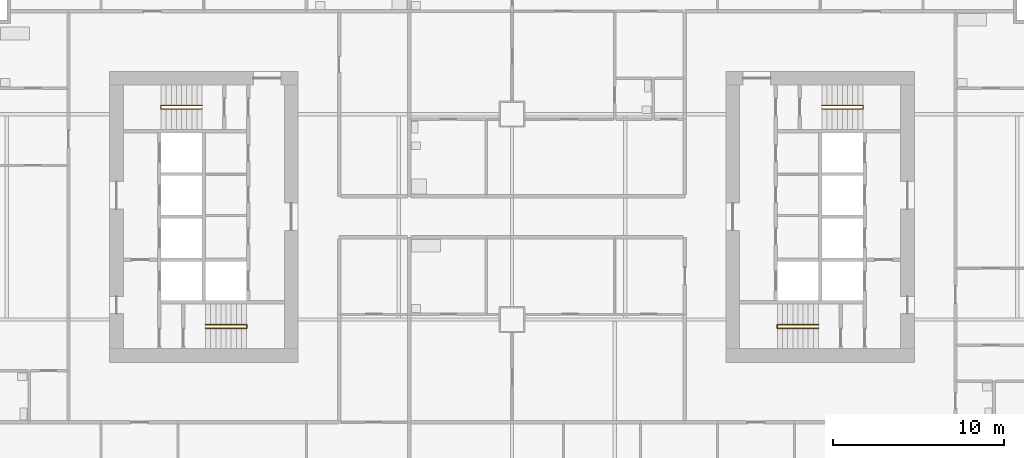
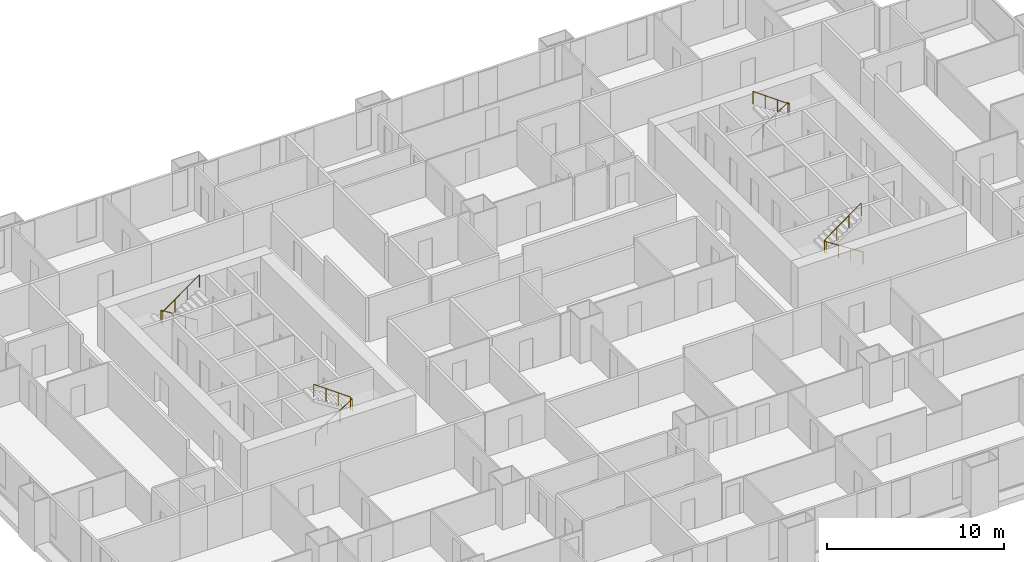
# One storey, part 13 of 14: 4 railings.
"""IFC4 building model written with IfcOpenShell, lengths in metres."""

from ifc_helpers import new_model, si_unit, direction, frame, origin, origin_2d, place, context, subcontext, project, spatial, circle, extrude, material, type_object, element, save


model = new_model("IFC4")

# Units and contexts
model_context = context("Model", 3, precision=1e-05, world=origin(), true_north=direction((0.0, 1.0)))
body_context = subcontext(model_context, "Body", "Model", "MODEL_VIEW")
ifc_project = project(units=[si_unit("LENGTHUNIT", "METRE"), si_unit("AREAUNIT", "SQUARE_METRE"), si_unit("VOLUMEUNIT", "CUBIC_METRE"), si_unit("PLANEANGLEUNIT", "RADIAN"), si_unit("MASSUNIT", "GRAM", prefix="KILO")], contexts=[model_context])

# Site, building, storey
site_placement = place(None, origin())
site = spatial("IfcSite", under=ifc_project, at=site_placement, CompositionType="ELEMENT")
building_placement = place(site_placement, origin())
building = spatial("IfcBuilding", under=site, at=building_placement, Name="Kitamizu Gate Tower and Museum", CompositionType="ELEMENT")
storey_placement = place(building_placement, frame((0.0, 0.0, 43.800048828125)))
storey = spatial("IfcBuildingStorey", under=building, at=storey_placement, Name="L09", CompositionType="ELEMENT", Elevation=43.800048828125)

# Railings
ifc_material = material(Name="Stainless steel SUS304", Category="steel")
railing_type = type_object("IfcRailingType", Name="Stair handrail 900", PredefinedType="HANDRAIL", material=ifc_material)
railing_1_placement = place(storey_placement, frame((18.10009765625, 23.5, 0.191650390625)))
element("IfcRailing", 1, at=railing_1_placement, inside=storey, type_object=railing_type, Name="Stair handrail ST1", PredefinedType="HANDRAIL", context=body_context, shape_type="SweptSolid", body=[
    extrude(circle(Radius=0.02392578125, at=origin_2d()), frame((0.0, 0.0, 0.8759765625), z_axis=(0.84270706373, 0.0, 0.538372366248), x_axis=(0.0, 1.0, 0.0)), (0.0, 0.0, 1.0), 2.847900390625),
    extrude(circle(Radius=0.02392578125, at=origin_2d()), frame((2.39990234375, 0.0, 2.4091796875), z_axis=(0.0, 1.0, 0.0), x_axis=(-1.0, 0.0, 0.0)), (0.0, 0.0, 1.0), 0.199951171875),
    extrude(circle(Radius=0.02392578125, at=origin_2d()), frame((2.39990234375, 0.199951171875, 2.4091796875), z_axis=(-0.811988456656, 0.0, 0.583673492852), x_axis=(0.0, -1.0, 0.0)), (0.0, 0.0, 1.0), 2.95556640625),
    extrude(circle(Radius=0.02099609375, at=origin_2d()), origin(), (0.0, 0.0, 1.0), 0.851806640625),
    extrude(circle(Radius=0.02099609375, at=origin_2d()), frame((0.800048828125, 0.0, 0.510986328125)), (0.0, 0.0, 1.0), 0.851806640625),
    extrude(circle(Radius=0.02099609375, at=origin_2d()), frame((1.599853515625, 0.0, 1.022216796875)), (0.0, 0.0, 1.0), 0.851806640625),
    extrude(circle(Radius=0.02099609375, at=origin_2d()), frame((2.39990234375, 0.0, 1.533203125)), (0.0, 0.0, 1.0), 0.851806640625),
    extrude(circle(Radius=0.02099609375, at=origin_2d()), frame((2.39990234375, 0.199951171875, 1.533203125)), (0.0, 0.0, 1.0), 0.851806640625),
    extrude(circle(Radius=0.02099609375, at=origin_2d()), frame((1.599853515625, 0.199951171875, 2.108154296875)), (0.0, 0.0, 1.0), 0.851806640625),
    extrude(circle(Radius=0.02099609375, at=origin_2d()), frame((0.800048828125, 0.199951171875, 2.683349609375)), (0.0, 0.0, 1.0), 0.851806640625),
    extrude(circle(Radius=0.02099609375, at=origin_2d()), frame((0.0, 0.199951171875, 3.25830078125)), (0.0, 0.0, 1.0), 0.851806640625),
])
railing_2_placement = place(storey_placement, frame((17.89990234375, 36.5, 0.191650390625)))
element("IfcRailing", 2, at=railing_2_placement, inside=storey, type_object=railing_type, Name="Stair handrail ST2", PredefinedType="HANDRAIL", context=body_context, shape_type="SweptSolid", body=[
    extrude(circle(Radius=0.02392578125, at=origin_2d()), frame((0.0, 0.0, 0.8759765625), z_axis=(-0.84270706373, 0.0, 0.538372366248), x_axis=(0.0, -1.0, 0.0)), (0.0, 0.0, 1.0), 2.847900390625),
    extrude(circle(Radius=0.02392578125, at=origin_2d()), frame((-2.39990234375, 0.0, 2.4091796875), z_axis=(0.0, -1.0, 0.0), x_axis=(1.0, 0.0, 0.0)), (0.0, 0.0, 1.0), 0.199951171875),
    extrude(circle(Radius=0.02392578125, at=origin_2d()), frame((-2.39990234375, -0.199951171875, 2.4091796875), z_axis=(0.811988456656, 0.0, 0.583673492852), x_axis=(0.0, 1.0, 0.0)), (0.0, 0.0, 1.0), 2.95556640625),
    extrude(circle(Radius=0.02099609375, at=origin_2d()), origin(), (0.0, 0.0, 1.0), 0.851806640625),
    extrude(circle(Radius=0.02099609375, at=origin_2d()), frame((-0.800048828125, 0.0, 0.510986328125)), (0.0, 0.0, 1.0), 0.851806640625),
    extrude(circle(Radius=0.02099609375, at=origin_2d()), frame((-1.599853515625, 0.0, 1.022216796875)), (0.0, 0.0, 1.0), 0.851806640625),
    extrude(circle(Radius=0.02099609375, at=origin_2d()), frame((-2.39990234375, 0.0, 1.533203125)), (0.0, 0.0, 1.0), 0.851806640625),
    extrude(circle(Radius=0.02099609375, at=origin_2d()), frame((-2.39990234375, -0.199951171875, 1.533203125)), (0.0, 0.0, 1.0), 0.851806640625),
    extrude(circle(Radius=0.02099609375, at=origin_2d()), frame((-1.599853515625, -0.199951171875, 2.108154296875)), (0.0, 0.0, 1.0), 0.851806640625),
    extrude(circle(Radius=0.02099609375, at=origin_2d()), frame((-0.800048828125, -0.199951171875, 2.683349609375)), (0.0, 0.0, 1.0), 0.851806640625),
    extrude(circle(Radius=0.02099609375, at=origin_2d()), frame((0.0, -0.199951171875, 3.25830078125)), (0.0, 0.0, 1.0), 0.851806640625),
])
railing_3_placement = place(storey_placement, frame((53.89990234375, 23.5, 0.191650390625)))
element("IfcRailing", 3, at=railing_3_placement, inside=storey, type_object=railing_type, Name="Stair handrail ST3", PredefinedType="HANDRAIL", context=body_context, shape_type="SweptSolid", body=[
    extrude(circle(Radius=0.02392578125, at=origin_2d()), frame((0.0, 0.0, 0.8759765625), z_axis=(-0.84270706373, 0.0, 0.538372366248), x_axis=(0.0, -1.0, 0.0)), (0.0, 0.0, 1.0), 2.847900390625),
    extrude(circle(Radius=0.02392578125, at=origin_2d()), frame((-2.39990234375, 0.0, 2.4091796875), z_axis=(0.0, 1.0, 0.0), x_axis=(-1.0, 0.0, 0.0)), (0.0, 0.0, 1.0), 0.199951171875),
    extrude(circle(Radius=0.02392578125, at=origin_2d()), frame((-2.39990234375, 0.199951171875, 2.4091796875), z_axis=(0.811988456656, 0.0, 0.583673492852), x_axis=(0.0, 1.0, 0.0)), (0.0, 0.0, 1.0), 2.95556640625),
    extrude(circle(Radius=0.02099609375, at=origin_2d()), origin(), (0.0, 0.0, 1.0), 0.851806640625),
    extrude(circle(Radius=0.02099609375, at=origin_2d()), frame((-0.800048828125, 0.0, 0.510986328125)), (0.0, 0.0, 1.0), 0.851806640625),
    extrude(circle(Radius=0.02099609375, at=origin_2d()), frame((-1.599853515625, 0.0, 1.022216796875)), (0.0, 0.0, 1.0), 0.851806640625),
    extrude(circle(Radius=0.02099609375, at=origin_2d()), frame((-2.39990234375, 0.0, 1.533203125)), (0.0, 0.0, 1.0), 0.851806640625),
    extrude(circle(Radius=0.02099609375, at=origin_2d()), frame((-2.39990234375, 0.199951171875, 1.533203125)), (0.0, 0.0, 1.0), 0.851806640625),
    extrude(circle(Radius=0.02099609375, at=origin_2d()), frame((-1.599853515625, 0.199951171875, 2.108154296875)), (0.0, 0.0, 1.0), 0.851806640625),
    extrude(circle(Radius=0.02099609375, at=origin_2d()), frame((-0.800048828125, 0.199951171875, 2.683349609375)), (0.0, 0.0, 1.0), 0.851806640625),
    extrude(circle(Radius=0.02099609375, at=origin_2d()), frame((0.0, 0.199951171875, 3.25830078125)), (0.0, 0.0, 1.0), 0.851806640625),
])
railing_4_placement = place(storey_placement, frame((54.10009765625, 36.5, 0.191650390625)))
element("IfcRailing", 4, at=railing_4_placement, inside=storey, type_object=railing_type, Name="Stair handrail ST4", PredefinedType="HANDRAIL", context=body_context, shape_type="SweptSolid", body=[
    extrude(circle(Radius=0.02392578125, at=origin_2d()), frame((0.0, 0.0, 0.8759765625), z_axis=(0.84270706373, 0.0, 0.538372366248), x_axis=(0.0, 1.0, 0.0)), (0.0, 0.0, 1.0), 2.847900390625),
    extrude(circle(Radius=0.02392578125, at=origin_2d()), frame((2.39990234375, 0.0, 2.4091796875), z_axis=(0.0, -1.0, 0.0), x_axis=(1.0, 0.0, 0.0)), (0.0, 0.0, 1.0), 0.199951171875),
    extrude(circle(Radius=0.02392578125, at=origin_2d()), frame((2.39990234375, -0.199951171875, 2.4091796875), z_axis=(-0.811988456656, 0.0, 0.583673492852), x_axis=(0.0, -1.0, 0.0)), (0.0, 0.0, 1.0), 2.95556640625),
    extrude(circle(Radius=0.02099609375, at=origin_2d()), origin(), (0.0, 0.0, 1.0), 0.851806640625),
    extrude(circle(Radius=0.02099609375, at=origin_2d()), frame((0.800048828125, 0.0, 0.510986328125)), (0.0, 0.0, 1.0), 0.851806640625),
    extrude(circle(Radius=0.02099609375, at=origin_2d()), frame((1.599853515625, 0.0, 1.022216796875)), (0.0, 0.0, 1.0), 0.851806640625),
    extrude(circle(Radius=0.02099609375, at=origin_2d()), frame((2.39990234375, 0.0, 1.533203125)), (0.0, 0.0, 1.0), 0.851806640625),
    extrude(circle(Radius=0.02099609375, at=origin_2d()), frame((2.39990234375, -0.199951171875, 1.533203125)), (0.0, 0.0, 1.0), 0.851806640625),
    extrude(circle(Radius=0.02099609375, at=origin_2d()), frame((1.599853515625, -0.199951171875, 2.108154296875)), (0.0, 0.0, 1.0), 0.851806640625),
    extrude(circle(Radius=0.02099609375, at=origin_2d()), frame((0.800048828125, -0.199951171875, 2.683349609375)), (0.0, 0.0, 1.0), 0.851806640625),
    extrude(circle(Radius=0.02099609375, at=origin_2d()), frame((0.0, -0.199951171875, 3.25830078125)), (0.0, 0.0, 1.0), 0.851806640625),
])

save(model, "model.ifc")
